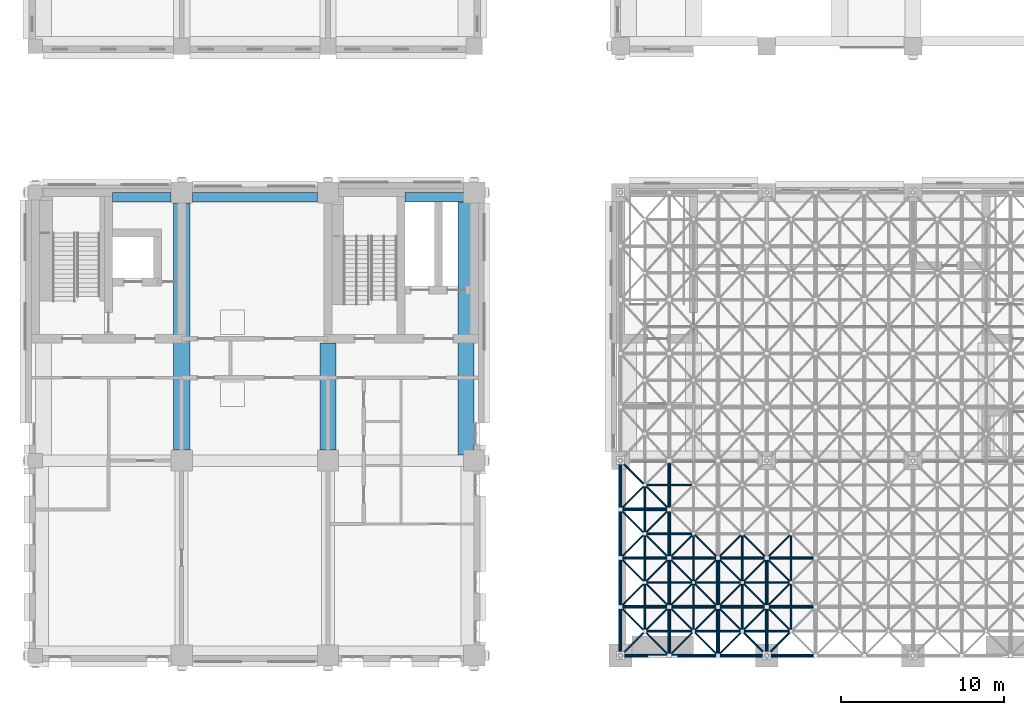
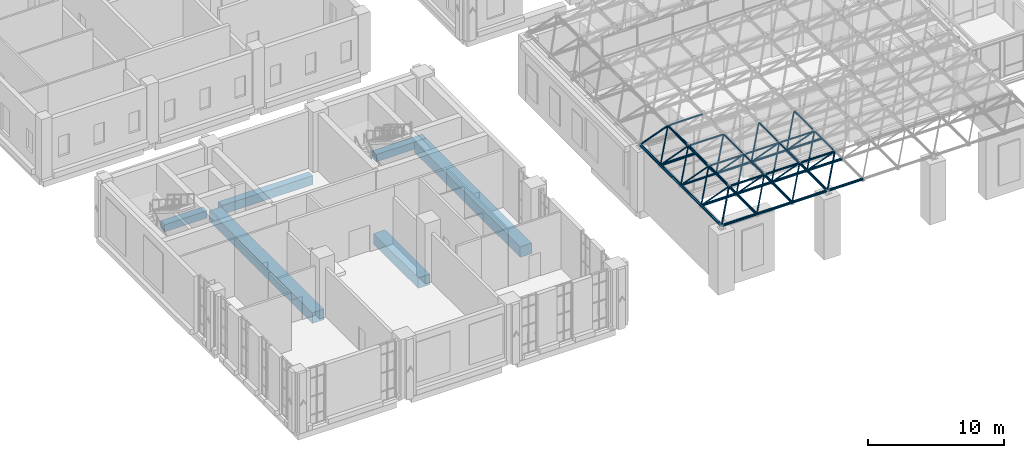
# One storey, part 3 of 53: 82 members, 6 beams.
"""IFC4 building model written with IfcOpenShell, lengths in metres."""

import ifcopenshell
import ifcopenshell.guid

model = None  # the IFC model being written
_history = None  # IfcOwnerHistory: only IFC2X3 demands one
_inside = {}  # id of a spatial element -> (the spatial element, [elements in it])
_under = {}  # id of a project, library or spatial element -> (it, [spatial elements below it])
_declared = {}  # id of a project -> (the project, [libraries it declares])
_typed = {}  # id of a type object -> (the type object, [elements of that type])
_made_of = {}  # id of a material, layer set ... -> (it, [elements and type objects made of it])


def new_model(schema):
    """Start an empty IFC model of exactly this schema.

    Asked for "IFC4X3", IfcOpenShell would pick the latest addendum, in which some entities
    have other attributes; the version numbers below select the first issue.
    IFC2X3 requires an IfcOwnerHistory on every rooted entity: one is made here for all.
    """
    global model, _history
    if schema == "IFC4X3":
        model = ifcopenshell.file(schema_version=(4, 3, 0, 0))
    else:
        model = ifcopenshell.file(schema=schema)
    _inside.clear()
    _under.clear()
    _declared.clear()
    _typed.clear()
    _made_of.clear()
    _history = None
    if model.schema == "IFC2X3":
        org = make("IfcOrganization", Name="unknown")
        user = make(
            "IfcPersonAndOrganization",
            ThePerson=make("IfcPerson", FamilyName="unknown"),
            TheOrganization=org,
        )
        app = make(
            "IfcApplication",
            ApplicationDeveloper=org,
            Version="unknown",
            ApplicationFullName="unknown",
            ApplicationIdentifier="unknown",
        )
        _history = make(
            "IfcOwnerHistory",
            OwningUser=user,
            OwningApplication=app,
            ChangeAction="ADDED",
            CreationDate=0,
        )
    return model


def make(cls, **values):
    """One entity of the class cls with the attributes given. An attribute that is None is left unset."""
    return model.create_entity(
        cls, **{name: value for name, value in values.items() if value is not None}
    )


def rooted(cls, **values):
    """An entity with a GlobalId (a new one), such as an element, a storey or a relation."""
    return make(cls, GlobalId=ifcopenshell.guid.new(), OwnerHistory=_history, **values)


def si_unit(unit_type, name, prefix=None):
    """IfcSIUnit, for example si_unit("LENGTHUNIT", "METRE", prefix="MILLI")."""
    return make("IfcSIUnit", UnitType=unit_type, Prefix=prefix, Name=name)


def assignment(units):
    """IfcUnitAssignment: the units of a project."""
    return None if units is None else make("IfcUnitAssignment", Units=units)


def point(xyz):
    """IfcCartesianPoint."""
    return None if xyz is None else make("IfcCartesianPoint", Coordinates=xyz)


def direction(xyz):
    """IfcDirection."""
    return None if xyz is None else make("IfcDirection", DirectionRatios=xyz)


def frame(location, z_axis=None, x_axis=None):
    """IfcAxis2Placement3D, a coordinate frame: its origin and axes. An axis left out is left unset."""
    return make(
        "IfcAxis2Placement3D",
        Location=point(location),
        Axis=direction(z_axis),
        RefDirection=direction(x_axis),
    )


def frame_2d(location, x_axis=None):
    """IfcAxis2Placement2D, a coordinate frame in the plane: its origin and x axis."""
    return make(
        "IfcAxis2Placement2D", Location=point(location), RefDirection=direction(x_axis)
    )


def origin():
    """The frame at (0, 0, 0) with its axes left unset."""
    return frame((0.0, 0.0, 0.0))


def origin_2d():
    """The frame at (0, 0) in the plane with its x axis left unset."""
    return frame_2d((0.0, 0.0))


def place(relative_to, where):
    """IfcLocalPlacement: puts the frame where relative to a parent placement (None: the world)."""
    return make(
        "IfcLocalPlacement", PlacementRelTo=relative_to, RelativePlacement=where
    )


def context(
    kind, dimensions, precision=None, world=None, true_north=None, identifier=None
):
    """IfcGeometricRepresentationContext, for example the 3D "Model" context."""
    return make(
        "IfcGeometricRepresentationContext",
        ContextIdentifier=identifier,
        ContextType=kind,
        CoordinateSpaceDimension=dimensions,
        Precision=precision,
        WorldCoordinateSystem=world,
        TrueNorth=true_north,
    )


def subcontext(parent, identifier, kind, view, scale=None):
    """IfcGeometricRepresentationSubContext, for example "Body" below "Model"."""
    return make(
        "IfcGeometricRepresentationSubContext",
        ContextIdentifier=identifier,
        ContextType=kind,
        ParentContext=parent,
        TargetScale=scale,
        TargetView=view,
    )


def project(units=None, contexts=None):
    """IfcProject with its units and contexts."""
    return rooted(
        "IfcProject",
        Name="project",
        RepresentationContexts=contexts,
        UnitsInContext=assignment(units),
    )


def spatial(cls, under=None, at=None, **own):
    """A site, building, storey or space (cls), placed at a placement, below another one or the project."""
    s = rooted(cls, ObjectPlacement=at, **own)
    if under is not None:
        _under.setdefault(under.id(), (under, []))[1].append(s)
    return s


def profile(cls, at=None, kind="AREA", **sizes):
    """A parametric profile (cls). Its sizes go by their IFC names, for example OverallWidth=200.0."""
    return make(cls, ProfileType=kind, Position=at, **sizes)


def rectangle(**sizes):
    """IfcRectangleProfileDef."""
    return profile("IfcRectangleProfileDef", **sizes)


def hollow_circle(**sizes):
    """IfcCircleHollowProfileDef."""
    return profile("IfcCircleHollowProfileDef", **sizes)


def extrude(swept, where, along, depth):
    """IfcExtrudedAreaSolid: the profile swept, set in the frame where, extruded along a direction by depth."""
    return make(
        "IfcExtrudedAreaSolid",
        SweptArea=swept,
        Position=where,
        ExtrudedDirection=direction(along),
        Depth=depth,
    )


def shape(context_of_items, identifier, shape_type, items):
    """IfcShapeRepresentation: the items that make up one representation, for example the "Body"."""
    return make(
        "IfcShapeRepresentation",
        ContextOfItems=context_of_items,
        RepresentationIdentifier=identifier,
        RepresentationType=shape_type,
        Items=items,
    )


def material(Name=None, Category=None):
    """IfcMaterial."""
    return make("IfcMaterial", Name=Name, Category=Category)


def material_profile(
    of_material, cross_section, Name=None, Category=None, Priority=None
):
    """IfcMaterialProfile: a cross section and its material."""
    return make(
        "IfcMaterialProfile",
        Name=Name,
        Material=of_material,
        Profile=cross_section,
        Priority=Priority,
        Category=Category,
    )


def profile_set(profiles, Name=None, composite=None):
    """IfcMaterialProfileSet."""
    return make(
        "IfcMaterialProfileSet",
        Name=Name,
        MaterialProfiles=profiles,
        CompositeProfile=composite,
    )


def made_of(thing, what):
    """Note that an element or type object is made of a material, layer set ...; save() writes the relation."""
    if what is not None:
        _made_of.setdefault(what.id(), (what, []))[1].append(thing)
    return thing


def type_object(cls, material=None, **own):
    """A type object (cls), such as IfcWallType, which elements share."""
    return made_of(rooted(cls, **own), material)


def element(
    cls,
    number,
    at=None,
    inside=None,
    cuts=None,
    type_object=None,
    material=None,
    context=None,
    identifier="Body",
    shape_type=None,
    held_by="IfcProductDefinitionShape",
    body=None,
    shapes=None,
    **own,
):
    """One element of the class cls, such as IfcWall. Its Tag is "e" and its number.

    at: its placement. inside: the storey or other place that contains it. cuts: it is an
    opening in that element (IfcRelVoidsElement). A single representation is given by context,
    identifier, shape_type and body (its items); several are given by shapes. held_by: the class
    of the entity that holds the representations. save() writes the other relations.
    """
    e = rooted(cls, Tag="e%d" % number, ObjectPlacement=at, **own)
    if body is not None:
        shapes = [shape(context, identifier, shape_type, body)]
    if shapes is not None:
        e.Representation = make(held_by, Representations=shapes)
    if inside is not None:
        _inside.setdefault(inside.id(), (inside, []))[1].append(e)
    if cuts is not None:
        rooted(
            "IfcRelVoidsElement", RelatingBuildingElement=cuts, RelatedOpeningElement=e
        )
    if type_object is not None:
        _typed.setdefault(type_object.id(), (type_object, []))[1].append(e)
    return made_of(e, material)


def aggregate(whole, parts):
    """IfcRelAggregates: a whole, such as a stair, and the parts it consists of."""
    return rooted("IfcRelAggregates", RelatingObject=whole, RelatedObjects=parts)


def save(model, path):
    """Write the relations noted so far, then the file.

    IfcRelAggregates (storeys below a building ...), IfcRelContainedInSpatialStructure (elements
    in a storey), IfcRelDefinesByType, IfcRelAssociatesMaterial and IfcRelDeclares: one each for
    every whole, place, type object, material and project.
    """
    for whole, parts in _under.values():
        aggregate(whole, parts)
    for where, things in _inside.values():
        rooted(
            "IfcRelContainedInSpatialStructure",
            RelatedElements=things,
            RelatingStructure=where,
        )
    for kind, things in _typed.values():
        rooted("IfcRelDefinesByType", RelatedObjects=things, RelatingType=kind)
    for what, things in _made_of.values():
        rooted("IfcRelAssociatesMaterial", RelatedObjects=things, RelatingMaterial=what)
    for by, libraries in _declared.values():
        rooted("IfcRelDeclares", RelatingContext=by, RelatedDefinitions=libraries)
    model.write(path)


model = new_model("IFC4")

# Units and contexts
model_context = context("Model", 3, precision=1e-05, world=origin(), true_north=direction((0.0, 1.0)))
body_context = subcontext(model_context, "Body", "Model", "MODEL_VIEW")
ifc_project = project(units=[si_unit("LENGTHUNIT", "METRE"), si_unit("AREAUNIT", "SQUARE_METRE"), si_unit("VOLUMEUNIT", "CUBIC_METRE"), si_unit("PLANEANGLEUNIT", "RADIAN"), si_unit("MASSUNIT", "GRAM", prefix="KILO")], contexts=[model_context])

# Site, building, storey
site_placement = place(None, origin())
site = spatial("IfcSite", under=ifc_project, at=site_placement, CompositionType="ELEMENT")
building_placement = place(site_placement, origin())
building = spatial("IfcBuilding", under=site, at=building_placement, Name="Aurelan Courthouse", CompositionType="ELEMENT")
storey_placement = place(building_placement, frame((0.0, 0.0, 12.0)))
storey = spatial("IfcBuildingStorey", under=building, at=storey_placement, Name="L02", CompositionType="ELEMENT", Elevation=12.0)

# Beams
ifc_material_1 = material(Name="Concrete C50", Category="concrete")
ifc_material_profile_1 = material_profile(ifc_material_1, rectangle(XDim=1.0, YDim=0.949951171875, at=origin_2d()), Name="RC 1000 x 950")
ifc_profile_set_1 = profile_set([ifc_material_profile_1], Name="Concrete C50")
beam_type_1 = type_object("IfcBeamType", Name="PT girder 1000 x 950", PredefinedType="BEAM", material=ifc_profile_set_1)
beam_1_placement = place(storey_placement, frame((9.0, 12.64990234375, -0.77490234375), z_axis=(0.0, 1.0, 0.0), x_axis=(-1.0, 0.0, 0.0)))
element("IfcBeam", 1, at=beam_1_placement, inside=storey, type_object=beam_type_1, Name="Girder GB-2BC", PredefinedType="BEAM", context=body_context, shape_type="SweptSolid", body=[
    extrude(rectangle(XDim=1.0, YDim=0.949951171875, at=origin_2d()), origin(), (0.0, 0.0, 1.0), 15.2001953125),
])
beam_2_placement = place(storey_placement, frame((18.0, 12.64990234375, -0.77490234375), z_axis=(0.0, 1.0, 0.0), x_axis=(-1.0, 0.0, 0.0)))
element("IfcBeam", 2, at=beam_2_placement, inside=storey, type_object=beam_type_1, Name="Girder GB-3BC", PredefinedType="BEAM", context=body_context, shape_type="SweptSolid", body=[
    extrude(rectangle(XDim=1.0, YDim=0.949951171875, at=origin_2d()), origin(), (0.0, 0.0, 1.0), 6.60009765625),
])
beam_3_placement = place(storey_placement, frame((26.5, 12.35009765625, -0.77490234375), z_axis=(0.0, 1.0, 0.0), x_axis=(-1.0, 0.0, 0.0)))
element("IfcBeam", 3, at=beam_3_placement, inside=storey, type_object=beam_type_1, Name="Girder GB-4BC-E", PredefinedType="BEAM", context=body_context, shape_type="SweptSolid", body=[
    extrude(rectangle(XDim=1.0, YDim=0.949951171875, at=origin_2d()), origin(), (0.0, 0.0, 1.0), 15.5498046875),
])
ifc_material_profile_2 = material_profile(ifc_material_1, rectangle(XDim=0.60009765625, YDim=0.64990234375, at=origin_2d()), Name="RC 600 x 650")
ifc_profile_set_2 = profile_set([ifc_material_profile_2], Name="Concrete C50")
beam_type_2 = type_object("IfcBeamType", Name="RC spandrel beam 600 x 650", PredefinedType="SPANDREL", material=ifc_profile_set_2)
beam_4_placement = place(storey_placement, frame((4.75, 28.199951171875, -0.625), z_axis=(1.0, 0.0, 0.0), x_axis=(0.0, 1.0, 0.0)))
element("IfcBeam", 4, at=beam_4_placement, inside=storey, type_object=beam_type_2, Name="Spandrel beam SB-C-1-2", PredefinedType="SPANDREL", context=body_context, shape_type="SweptSolid", body=[
    extrude(rectangle(XDim=0.60009765625, YDim=0.64990234375, at=origin_2d()), origin(), (0.0, 0.0, 1.0), 3.60009765625),
])
beam_5_placement = place(storey_placement, frame((22.75, 28.199951171875, -0.625), z_axis=(1.0, 0.0, 0.0), x_axis=(0.0, 1.0, 0.0)))
element("IfcBeam", 5, at=beam_5_placement, inside=storey, type_object=beam_type_2, Name="Spandrel beam SB-C-3-4", PredefinedType="SPANDREL", context=body_context, shape_type="SweptSolid", body=[
    extrude(rectangle(XDim=0.60009765625, YDim=0.64990234375, at=origin_2d()), origin(), (0.0, 0.0, 1.0), 4.25),
])
ifc_material_profile_3 = material_profile(ifc_material_1, rectangle(XDim=0.60009765625, YDim=0.800048828125, at=origin_2d()), Name="RC 600 x 800")
ifc_profile_set_3 = profile_set([ifc_material_profile_3], Name="Concrete C50")
beam_type_3 = type_object("IfcBeamType", Name="RC spandrel beam 600 x 800", PredefinedType="SPANDREL", material=ifc_profile_set_3)
beam_6_placement = place(storey_placement, frame((9.64990234375, 28.199951171875, -0.699951171875), z_axis=(1.0, 0.0, 0.0), x_axis=(0.0, 1.0, 0.0)))
element("IfcBeam", 6, at=beam_6_placement, inside=storey, type_object=beam_type_3, Name="Spandrel beam SB-C-2-3", PredefinedType="SPANDREL", context=body_context, shape_type="SweptSolid", body=[
    extrude(rectangle(XDim=0.60009765625, YDim=0.800048828125, at=origin_2d()), origin(), (0.0, 0.0, 1.0), 7.7001953125),
])

# Members
ifc_material_2 = material(Name="Steel S355", Category="steel")
ifc_material_profile_4 = material_profile(ifc_material_2, hollow_circle(Radius=0.06982421875, WallThickness=0.0048828125, at=origin_2d()), Name="CHS 139.7 x 5")
ifc_profile_set_4 = profile_set([ifc_material_profile_4], Name="Steel S355")
member_type_1 = type_object("IfcMemberType", Name="Space frame chord CHS 139.7 x 5", PredefinedType="CHORD", material=ifc_profile_set_4)
for number, where, z_axis, x_axis, name in (
    (7, (37.5, 4.5, 7.699951171875), (1.0, 0.0, 0.0), (0.0, 1.0, 0.0), "Space frame top chord SF-T1"),
    (8, (40.5, 4.5, 7.699951171875), (1.0, 0.0, 0.0), (0.0, 1.0, 0.0), "Space frame top chord SF-T1"),
    (9, (43.5, 4.5, 7.699951171875), (1.0, 0.0, 0.0), (0.0, 1.0, 0.0), "Space frame top chord SF-T1"),
    (10, (37.5, 7.5, 7.699951171875), (1.0, 0.0, 0.0), (0.0, 1.0, 0.0), "Space frame top chord SF-T1"),
    (11, (37.5, 10.5, 7.699951171875), (1.0, 0.0, 0.0), (0.0, 1.0, 0.0), "Space frame top chord SF-T1"),
    (12, (40.5, 1.5, 7.699951171875), (0.0, 1.0, 0.0), (-1.0, 0.0, 0.0), "Space frame top chord SF-T1"),
    (13, (40.5, 4.5, 7.699951171875), (0.0, 1.0, 0.0), (-1.0, 0.0, 0.0), "Space frame top chord SF-T1"),
    (14, (43.5, 1.5, 7.699951171875), (0.0, 1.0, 0.0), (-1.0, 0.0, 0.0), "Space frame top chord SF-T1"),
    (15, (43.5, 4.5, 7.699951171875), (0.0, 1.0, 0.0), (-1.0, 0.0, 0.0), "Space frame top chord SF-T1"),
    (16, (46.5, 1.5, 7.699951171875), (0.0, 1.0, 0.0), (-1.0, 0.0, 0.0), "Space frame top chord SF-T1"),
    (17, (46.5, 4.5, 7.699951171875), (0.0, 1.0, 0.0), (-1.0, 0.0, 0.0), "Space frame top chord SF-T1"),
):
    element("IfcMember", number, at=place(storey_placement, frame(where, z_axis=z_axis, x_axis=x_axis)), inside=storey, type_object=member_type_1, Name=name, PredefinedType="CHORD", context=body_context, shape_type="SweptSolid", body=[
        extrude(hollow_circle(Radius=0.06982421875, WallThickness=0.0048828125, at=origin_2d()), origin(), (0.0, 0.0, 1.0), 3.0),
    ])
ifc_material_profile_5 = material_profile(ifc_material_2, hollow_circle(Radius=0.084228515625, WallThickness=0.008056640625, at=origin_2d()), Name="CHS 168.3 x 8")
ifc_profile_set_5 = profile_set([ifc_material_profile_5], Name="Steel S355")
member_type_2 = type_object("IfcMemberType", Name="Space frame chord CHS 168.3 x 8", PredefinedType="CHORD", material=ifc_profile_set_5)
for number, where, z_axis, x_axis, name in (
    (18, (37.5, 1.5, 7.699951171875), (1.0, 0.0, 0.0), (0.0, 1.0, 0.0), "Space frame top chord SF-T3"),
    (19, (40.5, 1.5, 7.699951171875), (1.0, 0.0, 0.0), (0.0, 1.0, 0.0), "Space frame top chord SF-T3"),
    (20, (43.5, 1.5, 7.699951171875), (1.0, 0.0, 0.0), (0.0, 1.0, 0.0), "Space frame top chord SF-T3"),
    (21, (37.5, 1.5, 7.699951171875), (0.0, 1.0, 0.0), (-1.0, 0.0, 0.0), "Space frame top chord SF-T3"),
    (22, (37.5, 4.5, 7.699951171875), (0.0, 1.0, 0.0), (-1.0, 0.0, 0.0), "Space frame top chord SF-T3"),
    (23, (37.5, 7.5, 7.699951171875), (0.0, 1.0, 0.0), (-1.0, 0.0, 0.0), "Space frame top chord SF-T3"),
):
    element("IfcMember", number, at=place(storey_placement, frame(where, z_axis=z_axis, x_axis=x_axis)), inside=storey, type_object=member_type_2, Name=name, PredefinedType="CHORD", context=body_context, shape_type="SweptSolid", body=[
        extrude(hollow_circle(Radius=0.084228515625, WallThickness=0.008056640625, at=origin_2d()), origin(), (0.0, 0.0, 1.0), 3.0),
    ])
ifc_material_profile_6 = material_profile(ifc_material_2, hollow_circle(Radius=0.0888671875, WallThickness=0.00634765625, at=origin_2d()), Name="CHS 177.8 x 6.3")
ifc_profile_set_6 = profile_set([ifc_material_profile_6], Name="Steel S355")
member_type_3 = type_object("IfcMemberType", Name="Space frame chord CHS 177.8 x 6.3", PredefinedType="CHORD", material=ifc_profile_set_6)
for number, where, z_axis, x_axis, name in (
    (24, (36.0, 6.0, 5.60009765625), (1.0, 0.0, 0.0), (0.0, 1.0, 0.0), "Space frame bottom chord SF-B2"),
    (25, (39.0, 6.0, 5.60009765625), (1.0, 0.0, 0.0), (0.0, 1.0, 0.0), "Space frame bottom chord SF-B2"),
    (26, (42.0, 6.0, 5.60009765625), (1.0, 0.0, 0.0), (0.0, 1.0, 0.0), "Space frame bottom chord SF-B2"),
    (27, (45.0, 6.0, 5.60009765625), (1.0, 0.0, 0.0), (0.0, 1.0, 0.0), "Space frame bottom chord SF-B2"),
):
    element("IfcMember", number, at=place(storey_placement, frame(where, z_axis=z_axis, x_axis=x_axis)), inside=storey, type_object=member_type_3, Name=name, PredefinedType="CHORD", context=body_context, shape_type="SweptSolid", body=[
        extrude(hollow_circle(Radius=0.0888671875, WallThickness=0.00634765625, at=origin_2d()), origin(), (0.0, 0.0, 1.0), 3.0),
    ])
ifc_material_profile_7 = material_profile(ifc_material_2, hollow_circle(Radius=0.109619140625, WallThickness=0.010009765625, at=origin_2d()), Name="CHS 219.1 x 10")
ifc_profile_set_7 = profile_set([ifc_material_profile_7], Name="Steel S355")
member_type_4 = type_object("IfcMemberType", Name="Space frame chord CHS 219.1 x 10", PredefinedType="CHORD", material=ifc_profile_set_7)
for number, where, z_axis, x_axis, name in (
    (28, (36.0, 0.0, 5.60009765625), (1.0, 0.0, 0.0), (0.0, 1.0, 0.0), "Space frame bottom chord SF-B1"),
    (29, (39.0, 0.0, 5.60009765625), (1.0, 0.0, 0.0), (0.0, 1.0, 0.0), "Space frame bottom chord SF-B1"),
    (30, (42.0, 0.0, 5.60009765625), (1.0, 0.0, 0.0), (0.0, 1.0, 0.0), "Space frame bottom chord SF-B1"),
    (31, (45.0, 0.0, 5.60009765625), (1.0, 0.0, 0.0), (0.0, 1.0, 0.0), "Space frame bottom chord SF-B1"),
    (32, (36.0, 3.0, 5.60009765625), (1.0, 0.0, 0.0), (0.0, 1.0, 0.0), "Space frame bottom chord SF-B1"),
    (33, (39.0, 3.0, 5.60009765625), (1.0, 0.0, 0.0), (0.0, 1.0, 0.0), "Space frame bottom chord SF-B1"),
    (34, (42.0, 3.0, 5.60009765625), (1.0, 0.0, 0.0), (0.0, 1.0, 0.0), "Space frame bottom chord SF-B1"),
    (35, (45.0, 3.0, 5.60009765625), (1.0, 0.0, 0.0), (0.0, 1.0, 0.0), "Space frame bottom chord SF-B1"),
    (36, (36.0, 9.0, 5.60009765625), (1.0, 0.0, 0.0), (0.0, 1.0, 0.0), "Space frame bottom chord SF-B1"),
    (37, (36.0, 0.0, 5.60009765625), (0.0, 1.0, 0.0), (-1.0, 0.0, 0.0), "Space frame bottom chord SF-B1"),
    (38, (36.0, 3.0, 5.60009765625), (0.0, 1.0, 0.0), (-1.0, 0.0, 0.0), "Space frame bottom chord SF-B1"),
    (39, (36.0, 6.0, 5.60009765625), (0.0, 1.0, 0.0), (-1.0, 0.0, 0.0), "Space frame bottom chord SF-B1"),
    (40, (36.0, 9.0, 5.60009765625), (0.0, 1.0, 0.0), (-1.0, 0.0, 0.0), "Space frame bottom chord SF-B1"),
    (41, (39.0, 0.0, 5.60009765625), (0.0, 1.0, 0.0), (-1.0, 0.0, 0.0), "Space frame bottom chord SF-B1"),
    (42, (39.0, 3.0, 5.60009765625), (0.0, 1.0, 0.0), (-1.0, 0.0, 0.0), "Space frame bottom chord SF-B1"),
    (43, (39.0, 6.0, 5.60009765625), (0.0, 1.0, 0.0), (-1.0, 0.0, 0.0), "Space frame bottom chord SF-B1"),
    (44, (39.0, 9.0, 5.60009765625), (0.0, 1.0, 0.0), (-1.0, 0.0, 0.0), "Space frame bottom chord SF-B1"),
    (45, (42.0, 0.0, 5.60009765625), (0.0, 1.0, 0.0), (-1.0, 0.0, 0.0), "Space frame bottom chord SF-B1"),
    (46, (42.0, 3.0, 5.60009765625), (0.0, 1.0, 0.0), (-1.0, 0.0, 0.0), "Space frame bottom chord SF-B1"),
    (47, (45.0, 0.0, 5.60009765625), (0.0, 1.0, 0.0), (-1.0, 0.0, 0.0), "Space frame bottom chord SF-B1"),
    (48, (45.0, 3.0, 5.60009765625), (0.0, 1.0, 0.0), (-1.0, 0.0, 0.0), "Space frame bottom chord SF-B1"),
):
    element("IfcMember", number, at=place(storey_placement, frame(where, z_axis=z_axis, x_axis=x_axis)), inside=storey, type_object=member_type_4, Name=name, PredefinedType="CHORD", context=body_context, shape_type="SweptSolid", body=[
        extrude(hollow_circle(Radius=0.109619140625, WallThickness=0.010009765625, at=origin_2d()), origin(), (0.0, 0.0, 1.0), 3.0),
    ])
ifc_material_profile_8 = material_profile(ifc_material_2, hollow_circle(Radius=0.05712890625, WallThickness=0.00390625, at=origin_2d()), Name="CHS 114.3 x 4")
ifc_profile_set_8 = profile_set([ifc_material_profile_8], Name="Steel S355")
member_type_5 = type_object("IfcMemberType", Name="Space frame diagonal CHS 114.3 x 4", PredefinedType="BRACE", material=ifc_profile_set_8)
for number, where, z_axis, x_axis, name in (
    (49, (37.5, 1.5, 7.699951171875), (-0.502536257357, 0.502536257357, -0.703501684493), (-0.707106781187, -0.707106781187, 0.0), "Space frame diagonal SF-D2"),
    (50, (37.5, 1.5, 7.699951171875), (0.502536257357, -0.502536257357, -0.703501684493), (0.707106781187, 0.707106781187, 0.0), "Space frame diagonal SF-D2"),
    (51, (37.5, 1.5, 7.699951171875), (0.502536257357, 0.502536257357, -0.703501684493), (-0.707106781187, 0.707106781187, 0.0), "Space frame diagonal SF-D2"),
    (52, (37.5, 4.5, 7.699951171875), (-0.502536257357, -0.502536257357, -0.703501684493), (0.707106781187, -0.707106781187, 0.0), "Space frame diagonal SF-D2"),
    (53, (37.5, 4.5, 7.699951171875), (-0.502536257357, 0.502536257357, -0.703501684493), (-0.707106781187, -0.707106781187, 0.0), "Space frame diagonal SF-D2"),
    (54, (37.5, 4.5, 7.699951171875), (0.502536257357, -0.502536257357, -0.703501684493), (0.707106781187, 0.707106781187, 0.0), "Space frame diagonal SF-D2"),
    (55, (37.5, 4.5, 7.699951171875), (0.502536257357, 0.502536257357, -0.703501684493), (-0.707106781187, 0.707106781187, 0.0), "Space frame diagonal SF-D2"),
    (56, (37.5, 7.5, 7.699951171875), (-0.502536257357, -0.502536257357, -0.703501684493), (0.707106781187, -0.707106781187, 0.0), "Space frame diagonal SF-D2"),
    (57, (37.5, 7.5, 7.699951171875), (-0.502536257357, 0.502536257357, -0.703501684493), (-0.707106781187, -0.707106781187, 0.0), "Space frame diagonal SF-D2"),
    (58, (37.5, 7.5, 7.699951171875), (0.502536257357, -0.502536257357, -0.703501684493), (0.707106781187, 0.707106781187, 0.0), "Space frame diagonal SF-D2"),
    (59, (37.5, 7.5, 7.699951171875), (0.502536257357, 0.502536257357, -0.703501684493), (-0.707106781187, 0.707106781187, 0.0), "Space frame diagonal SF-D2"),
    (60, (37.5, 10.5, 7.699951171875), (-0.502536257357, -0.502536257357, -0.703501684493), (0.707106781187, -0.707106781187, 0.0), "Space frame diagonal SF-D2"),
    (61, (37.5, 10.5, 7.699951171875), (0.502536257357, -0.502536257357, -0.703501684493), (0.707106781187, 0.707106781187, 0.0), "Space frame diagonal SF-D2"),
    (62, (40.5, 1.5, 7.699951171875), (-0.502536257357, -0.502536257357, -0.703501684493), (0.707106781187, -0.707106781187, 0.0), "Space frame diagonal SF-D2"),
    (63, (40.5, 1.5, 7.699951171875), (-0.502536257357, 0.502536257357, -0.703501684493), (-0.707106781187, -0.707106781187, 0.0), "Space frame diagonal SF-D2"),
    (64, (40.5, 1.5, 7.699951171875), (0.502536257357, -0.502536257357, -0.703501684493), (0.707106781187, 0.707106781187, 0.0), "Space frame diagonal SF-D2"),
    (65, (40.5, 1.5, 7.699951171875), (0.502536257357, 0.502536257357, -0.703501684493), (-0.707106781187, 0.707106781187, 0.0), "Space frame diagonal SF-D2"),
    (66, (40.5, 4.5, 7.699951171875), (-0.502536257357, -0.502536257357, -0.703501684493), (0.707106781187, -0.707106781187, 0.0), "Space frame diagonal SF-D2"),
    (67, (40.5, 4.5, 7.699951171875), (-0.502536257357, 0.502536257357, -0.703501684493), (-0.707106781187, -0.707106781187, 0.0), "Space frame diagonal SF-D2"),
    (68, (40.5, 4.5, 7.699951171875), (0.502536257357, -0.502536257357, -0.703501684493), (0.707106781187, 0.707106781187, 0.0), "Space frame diagonal SF-D2"),
    (69, (40.5, 4.5, 7.699951171875), (0.502536257357, 0.502536257357, -0.703501684493), (-0.707106781187, 0.707106781187, 0.0), "Space frame diagonal SF-D2"),
    (70, (40.5, 7.5, 7.699951171875), (-0.502536257357, -0.502536257357, -0.703501684493), (0.707106781187, -0.707106781187, 0.0), "Space frame diagonal SF-D2"),
    (71, (40.5, 7.5, 7.699951171875), (0.502536257357, -0.502536257357, -0.703501684493), (0.707106781187, 0.707106781187, 0.0), "Space frame diagonal SF-D2"),
    (72, (43.5, 1.5, 7.699951171875), (-0.502536257357, -0.502536257357, -0.703501684493), (0.707106781187, -0.707106781187, 0.0), "Space frame diagonal SF-D2"),
    (73, (43.5, 1.5, 7.699951171875), (-0.502536257357, 0.502536257357, -0.703501684493), (-0.707106781187, -0.707106781187, 0.0), "Space frame diagonal SF-D2"),
    (74, (43.5, 1.5, 7.699951171875), (0.502536257357, 0.502536257357, -0.703501684493), (-0.707106781187, 0.707106781187, 0.0), "Space frame diagonal SF-D2"),
    (75, (43.5, 4.5, 7.699951171875), (-0.502536257357, -0.502536257357, -0.703501684493), (0.707106781187, -0.707106781187, 0.0), "Space frame diagonal SF-D2"),
    (76, (43.5, 4.5, 7.699951171875), (-0.502536257357, 0.502536257357, -0.703501684493), (-0.707106781187, -0.707106781187, 0.0), "Space frame diagonal SF-D2"),
    (77, (43.5, 4.5, 7.699951171875), (0.502536257357, -0.502536257357, -0.703501684493), (0.707106781187, 0.707106781187, 0.0), "Space frame diagonal SF-D2"),
    (78, (43.5, 4.5, 7.699951171875), (0.502536257357, 0.502536257357, -0.703501684493), (-0.707106781187, 0.707106781187, 0.0), "Space frame diagonal SF-D2"),
    (79, (43.5, 7.5, 7.699951171875), (-0.502536257357, -0.502536257357, -0.703501684493), (0.707106781187, -0.707106781187, 0.0), "Space frame diagonal SF-D2"),
    (80, (43.5, 7.5, 7.699951171875), (0.502536257357, -0.502536257357, -0.703501684493), (0.707106781187, 0.707106781187, 0.0), "Space frame diagonal SF-D2"),
    (81, (46.5, 1.5, 7.699951171875), (-0.502536257357, 0.502536257357, -0.703501684493), (-0.707106781187, -0.707106781187, 0.0), "Space frame diagonal SF-D2"),
    (82, (46.5, 4.5, 7.699951171875), (-0.502536257357, -0.502536257357, -0.703501684493), (0.707106781187, -0.707106781187, 0.0), "Space frame diagonal SF-D2"),
    (83, (46.5, 4.5, 7.699951171875), (-0.502536257357, 0.502536257357, -0.703501684493), (-0.707106781187, -0.707106781187, 0.0), "Space frame diagonal SF-D2"),
    (84, (46.5, 7.5, 7.699951171875), (-0.502536257357, -0.502536257357, -0.703501684493), (0.707106781187, -0.707106781187, 0.0), "Space frame diagonal SF-D2"),
):
    element("IfcMember", number, at=place(storey_placement, frame(where, z_axis=z_axis, x_axis=x_axis)), inside=storey, type_object=member_type_5, Name=name, PredefinedType="BRACE", context=body_context, shape_type="SweptSolid", body=[
        extrude(hollow_circle(Radius=0.05712890625, WallThickness=0.00390625, at=origin_2d()), origin(), (0.0, 0.0, 1.0), 2.98486328125),
    ])
ifc_material_profile_9 = material_profile(ifc_material_2, hollow_circle(Radius=0.06982421875, WallThickness=0.00634765625, at=origin_2d()), Name="CHS 139.7 x 6.3")
ifc_profile_set_9 = profile_set([ifc_material_profile_9], Name="Steel S355")
member_type_6 = type_object("IfcMemberType", Name="Space frame diagonal CHS 139.7 x 6.3", PredefinedType="BRACE", material=ifc_profile_set_9)
for number, where, z_axis, x_axis, name in (
    (85, (37.5, 1.5, 7.699951171875), (-0.502536257357, -0.502536257357, -0.703501684493), (0.707106781187, -0.707106781187, 0.0), "Space frame diagonal SF-D1"),
    (86, (37.5, 10.5, 7.699951171875), (-0.502536257357, 0.502536257357, -0.703501684493), (-0.707106781187, -0.707106781187, 0.0), "Space frame diagonal SF-D1"),
    (87, (43.5, 1.5, 7.699951171875), (0.502536257357, -0.502536257357, -0.703501684493), (0.707106781187, 0.707106781187, 0.0), "Space frame diagonal SF-D1"),
    (88, (46.5, 1.5, 7.699951171875), (-0.502536257357, -0.502536257357, -0.703501684493), (0.707106781187, -0.707106781187, 0.0), "Space frame diagonal SF-D1"),
):
    element("IfcMember", number, at=place(storey_placement, frame(where, z_axis=z_axis, x_axis=x_axis)), inside=storey, type_object=member_type_6, Name=name, PredefinedType="BRACE", context=body_context, shape_type="SweptSolid", body=[
        extrude(hollow_circle(Radius=0.06982421875, WallThickness=0.00634765625, at=origin_2d()), origin(), (0.0, 0.0, 1.0), 2.98486328125),
    ])

save(model, "model.ifc")
